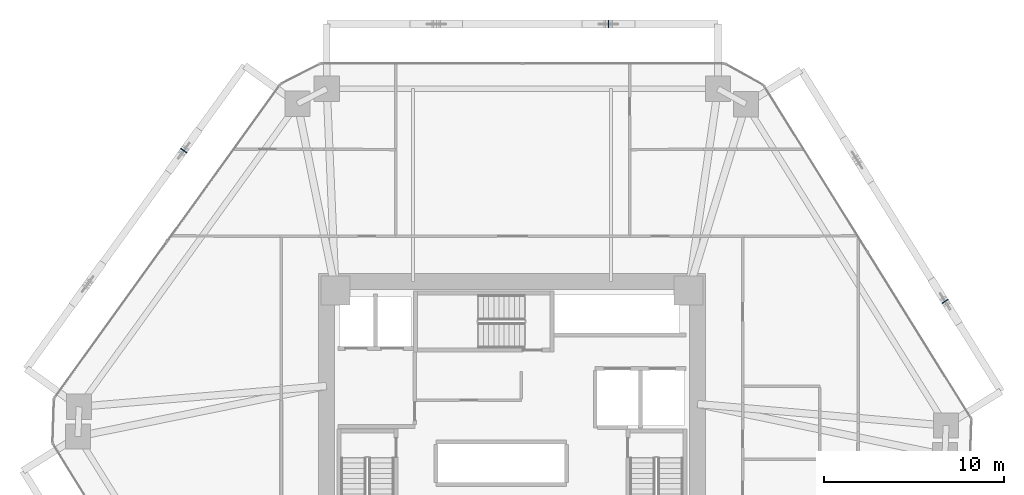
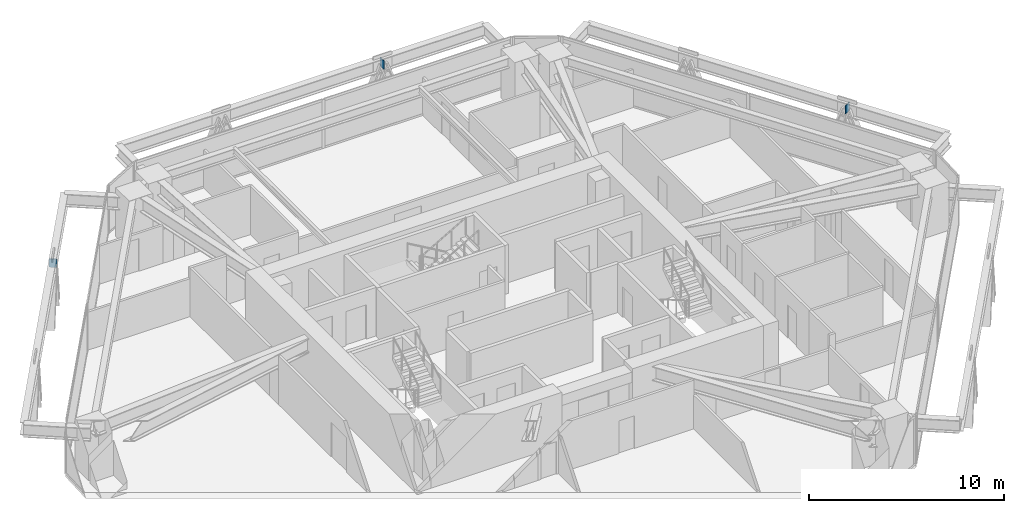
# One storey, part 12 of 17: 3 plates.
"""IFC4 building model written with IfcOpenShell, lengths in metres."""

from ifc_helpers import new_model, si_unit, direction, frame, origin, origin_2d, place, context, subcontext, project, spatial, rectangle, extrude, source, transform, mapped, material, layer, layer_set, type_object, type_shapes, element, save


model = new_model("IFC4")

# Units and contexts
model_context = context("Model", 3, precision=1e-05, world=origin(), true_north=direction((0.0, 1.0)))
body_context = subcontext(model_context, "Body", "Model", "MODEL_VIEW")
ifc_project = project(units=[si_unit("LENGTHUNIT", "METRE"), si_unit("AREAUNIT", "SQUARE_METRE"), si_unit("VOLUMEUNIT", "CUBIC_METRE"), si_unit("PLANEANGLEUNIT", "RADIAN"), si_unit("MASSUNIT", "GRAM", prefix="KILO")], contexts=[model_context])

# Site, building, storey
site_placement = place(None, origin())
site = spatial("IfcSite", under=ifc_project, at=site_placement, CompositionType="ELEMENT")
building_placement = place(site_placement, origin())
building = spatial("IfcBuilding", under=site, at=building_placement, Name="Durnholm Broadcast Tower", CompositionType="ELEMENT")
storey_placement = place(building_placement, frame((0.0, 0.0, 58.800048828125)))
storey = spatial("IfcBuildingStorey", under=building, at=storey_placement, Name="L14", CompositionType="ELEMENT", Elevation=58.800048828125)

# Plates
ifc_material = material(Name="Steel ASTM A572 Grade 50", Category="steel")
ifc_layer = layer(ifc_material, 0.044921875)
ifc_layer_set = layer_set([ifc_layer], Name="Steel ASTM A572 Grade 50")
plate_type = type_object("IfcPlateType", Name="PLT-KN-STIF", PredefinedType="SHEET", material=ifc_layer_set)
shared_shape = source(origin(), body_context, "Body", "SweptSolid", [
    extrude(rectangle(XDim=0.044921875, YDim=0.419921875, at=origin_2d()), origin(), (0.0, 0.0, 1.0), 0.52001953125),
])
type_shapes(plate_type, [shared_shape])
for number, where, z_axis, x_axis, name in (
    (1, (24.036376953125, 7.197509765625, 2.048583984375), (0.0, 0.0, 1.0), (-0.528586500185, 0.848879444811, 0.0), "L14 welded diagrid node stiffener plate F3"),
    (2, (5.351318359375, 22.60009765625, 2.048583984375), (0.0, 0.0, 1.0), (-1.0, 0.0, 0.0), "L14 welded diagrid node stiffener plate F4"),
    (3, (-18.223388671875, 15.56396484375, 2.048583984375), (0.0, 0.0, 1.0), (-0.584816108738, -0.81116590101, 0.0), "L14 welded diagrid node stiffener plate F5"),
):
    element("IfcPlate", number, at=place(storey_placement, frame(where, z_axis=z_axis, x_axis=x_axis)), inside=storey, type_object=plate_type, Name=name, PredefinedType="SHEET", context=body_context, shape_type="MappedRepresentation", body=[
        mapped(shared_shape, transform((0.0, 0.0, 0.0), x_axis=(1.0, 0.0, 0.0), y_axis=(0.0, 1.0, 0.0), z_axis=(0.0, 0.0, 1.0), scale=1.0)),
    ])

save(model, "model.ifc")
